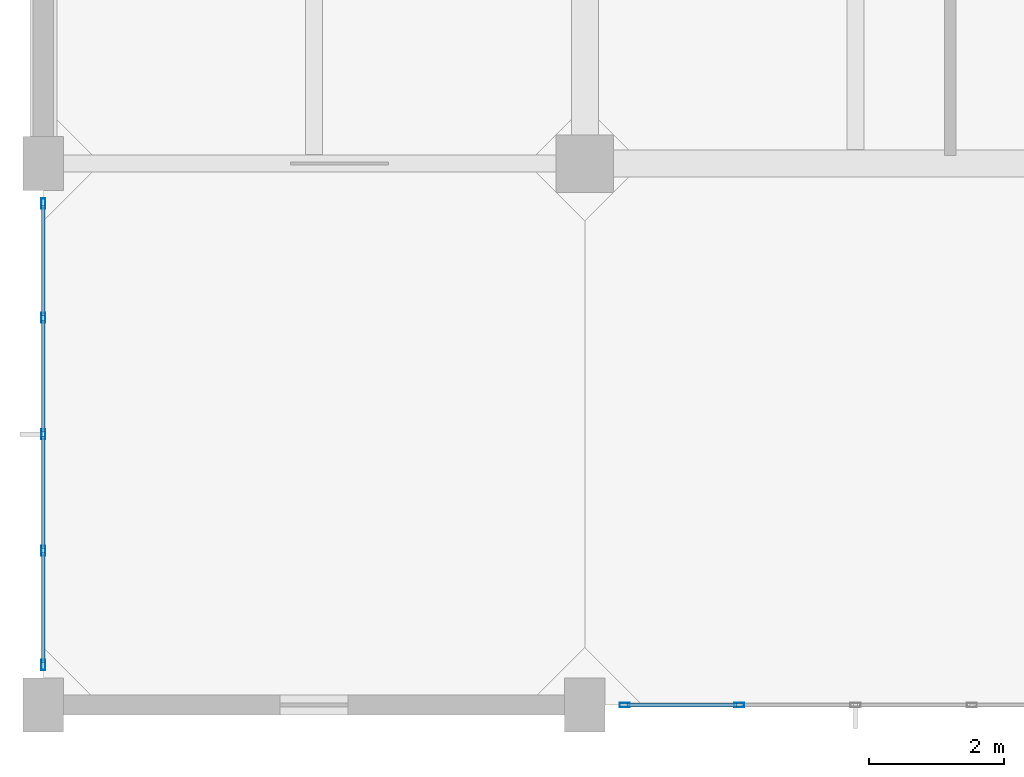
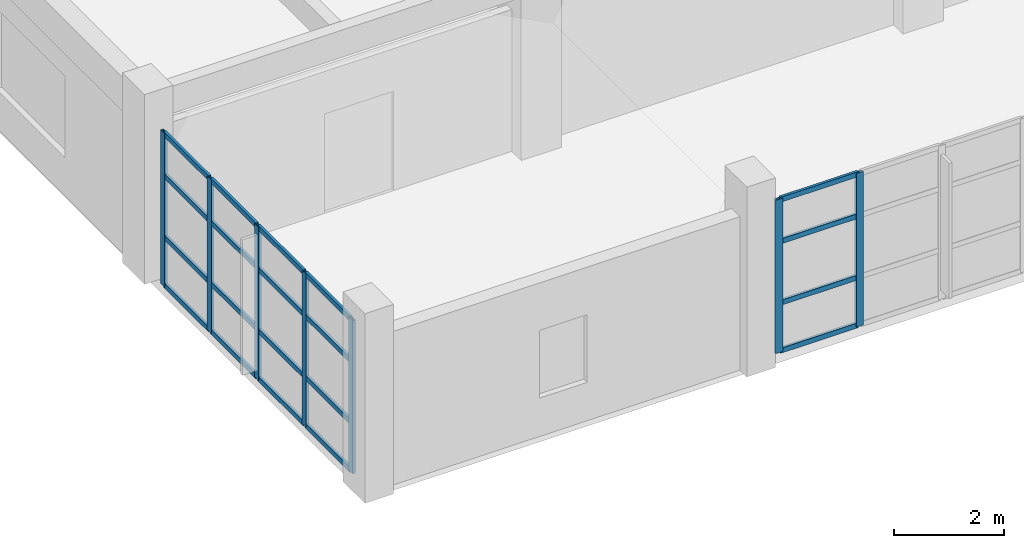
# One storey, part 2 of 27: 27 members, 2 elements without a shape of their own.
"""IFC4 building model written with IfcOpenShell, lengths in metres."""

from ifc_helpers import new_model, si_unit, direction, frame, origin, origin_2d, place, context, subcontext, project, spatial, hollow_rectangle, extrude, material, layer, layer_set, material_profile, profile_set, type_object, element, aggregate, save


model = new_model("IFC4")

# Units and contexts
model_context = context("Model", 3, precision=1e-05, world=origin(), true_north=direction((0.0, 1.0)))
body_context = subcontext(model_context, "Body", "Model", "MODEL_VIEW")
ifc_project = project(units=[si_unit("LENGTHUNIT", "METRE"), si_unit("AREAUNIT", "SQUARE_METRE"), si_unit("VOLUMEUNIT", "CUBIC_METRE"), si_unit("PLANEANGLEUNIT", "RADIAN"), si_unit("MASSUNIT", "GRAM", prefix="KILO")], contexts=[model_context])

# Site, building, storey
site_placement = place(None, origin())
site = spatial("IfcSite", under=ifc_project, at=site_placement, CompositionType="ELEMENT")
building_placement = place(site_placement, origin())
building = spatial("IfcBuilding", under=site, at=building_placement, Name="Canggui Botanical Conservatory", CompositionType="ELEMENT")
storey_placement = place(building_placement, frame((0.0, 0.0, 23.39990234375)))
storey = spatial("IfcBuildingStorey", under=building, at=storey_placement, Name="L06", CompositionType="ELEMENT", Elevation=23.39990234375)

# Curtain wall, members
ifc_material = material(Name="Thermally Broken Aluminium", Category="aluminium")
ifc_layer = layer(ifc_material, 0.14990234375, Name="Thermally Broken Aluminium", Category="aluminium")
ifc_layer_set = layer_set([ifc_layer], Name="Thermally Broken Aluminium")
curtain_wall_type = type_object("IfcCurtainWallType", Name="CW-UNIT-C", PredefinedType="USERDEFINED", material=ifc_layer_set)
curtain_wall_1_placement = place(storey_placement, origin())
curtain_wall_1 = element("IfcCurtainWall", 1, at=curtain_wall_1_placement, inside=storey, type_object=curtain_wall_type, Name="Facade Curtain Wall CW-TWR-L06-04", ObjectType="UNITISED CURTAIN WALL", PredefinedType="USERDEFINED")
ifc_material_profile_1 = material_profile(ifc_material, hollow_rectangle(XDim=0.06005859375, YDim=0.14990234375, WallThickness=0.00341796875, at=origin_2d()), Name="CWM 60x150x3.5")
ifc_profile_set_1 = profile_set([ifc_material_profile_1], Name="Thermally Broken Aluminium")
member_type_1 = type_object("IfcMemberType", Name="CWM-03", PredefinedType="MULLION", material=ifc_profile_set_1)
member_1_placement = place(storey_placement, frame((148.280029296875, 26.0, 0.0), z_axis=(0.0, 0.0, 1.0), x_axis=(0.0, -1.0, 0.0)))
member_1 = element("IfcMember", 2, at=member_1_placement, type_object=member_type_1, Name="CW-03 mullion 4", PredefinedType="MULLION", context=body_context, shape_type="SweptSolid", body=[
    extrude(hollow_rectangle(XDim=0.06005859375, YDim=0.14990234375, WallThickness=0.00341796875, at=origin_2d()), origin(), (0.0, 0.0, 1.0), 3.400146484375),
])
member_2_placement = place(storey_placement, frame((146.590087890625, 26.0, 0.0), z_axis=(0.0, 0.0, 1.0), x_axis=(0.0, -1.0, 0.0)))
member_2 = element("IfcMember", 3, at=member_2_placement, type_object=member_type_1, Name="CW-03 mullion 5", PredefinedType="MULLION", context=body_context, shape_type="SweptSolid", body=[
    extrude(hollow_rectangle(XDim=0.06005859375, YDim=0.14990234375, WallThickness=0.00341796875, at=origin_2d()), origin(), (0.0, 0.0, 1.0), 3.400146484375),
])

curtain_wall_2_placement = place(storey_placement, origin())
curtain_wall_2 = element("IfcCurtainWall", 4, at=curtain_wall_2_placement, inside=storey, type_object=curtain_wall_type, Name="Facade Curtain Wall CW-TWR-L06-06", ObjectType="UNITISED CURTAIN WALL", PredefinedType="USERDEFINED")
member_3_placement = place(storey_placement, frame((138.0, 26.590087890625, 0.0), z_axis=(0.0, 0.0, 1.0), x_axis=(-1.0, 0.0, 0.0)))
member_3 = element("IfcMember", 5, at=member_3_placement, type_object=member_type_1, Name="CW-03 mullion 1", PredefinedType="MULLION", context=body_context, shape_type="SweptSolid", body=[
    extrude(hollow_rectangle(XDim=0.06005859375, YDim=0.14990234375, WallThickness=0.00341796875, at=origin_2d()), origin(), (0.0, 0.0, 1.0), 3.400146484375),
])
member_4_placement = place(storey_placement, frame((138.0, 28.280029296875, 0.0), z_axis=(0.0, 0.0, 1.0), x_axis=(-1.0, 0.0, 0.0)))
member_4 = element("IfcMember", 6, at=member_4_placement, type_object=member_type_1, Name="CW-03 mullion 2", PredefinedType="MULLION", context=body_context, shape_type="SweptSolid", body=[
    extrude(hollow_rectangle(XDim=0.06005859375, YDim=0.14990234375, WallThickness=0.00341796875, at=origin_2d()), origin(), (0.0, 0.0, 1.0), 3.400146484375),
])
member_5_placement = place(storey_placement, frame((138.0, 30.0, 0.0), z_axis=(0.0, 0.0, 1.0), x_axis=(-1.0, 0.0, 0.0)))
member_5 = element("IfcMember", 7, at=member_5_placement, type_object=member_type_1, Name="CW-03 mullion 3", PredefinedType="MULLION", context=body_context, shape_type="SweptSolid", body=[
    extrude(hollow_rectangle(XDim=0.06005859375, YDim=0.14990234375, WallThickness=0.00341796875, at=origin_2d()), origin(), (0.0, 0.0, 1.0), 3.400146484375),
])
member_6_placement = place(storey_placement, frame((138.0, 31.719970703125, 0.0), z_axis=(0.0, 0.0, 1.0), x_axis=(-1.0, 0.0, 0.0)))
member_6 = element("IfcMember", 8, at=member_6_placement, type_object=member_type_1, Name="CW-03 mullion 4", PredefinedType="MULLION", context=body_context, shape_type="SweptSolid", body=[
    extrude(hollow_rectangle(XDim=0.06005859375, YDim=0.14990234375, WallThickness=0.00341796875, at=origin_2d()), origin(), (0.0, 0.0, 1.0), 3.400146484375),
])
member_7_placement = place(storey_placement, frame((138.0, 33.409912109375, 0.0), z_axis=(0.0, 0.0, 1.0), x_axis=(-1.0, 0.0, 0.0)))
member_7 = element("IfcMember", 9, at=member_7_placement, type_object=member_type_1, Name="CW-03 mullion 5", PredefinedType="MULLION", context=body_context, shape_type="SweptSolid", body=[
    extrude(hollow_rectangle(XDim=0.06005859375, YDim=0.14990234375, WallThickness=0.00341796875, at=origin_2d()), origin(), (0.0, 0.0, 1.0), 3.400146484375),
])

# Member
ifc_material_profile_2 = material_profile(ifc_material, hollow_rectangle(XDim=0.054931640625, YDim=0.110107421875, WallThickness=0.0029296875, at=origin_2d()), Name="CWT 55x110x3")
ifc_profile_set_2 = profile_set([ifc_material_profile_2], Name="Thermally Broken Aluminium")
member_type_2 = type_object("IfcMemberType", Name="CWT-03", PredefinedType="USERDEFINED", material=ifc_profile_set_2)
member_8_placement = place(storey_placement, frame((148.25, 26.0, 0.027587890625), z_axis=(-1.0, 0.0, 0.0), x_axis=(0.0, -1.0, 0.0)))
member_8 = element("IfcMember", 10, at=member_8_placement, type_object=member_type_2, Name="CW-03 transom 4.1", ObjectType="TRANSOM", PredefinedType="USERDEFINED", context=body_context, shape_type="SweptSolid", body=[
    extrude(hollow_rectangle(XDim=0.054931640625, YDim=0.110107421875, WallThickness=0.0029296875, at=origin_2d()), origin(), (0.0, 0.0, 1.0), 1.6298828125),
])

member_9_placement = place(storey_placement, frame((148.25, 26.0, 1.088134765625), z_axis=(-1.0, 0.0, 0.0), x_axis=(0.0, -1.0, 0.0)))
member_9 = element("IfcMember", 11, at=member_9_placement, type_object=member_type_2, Name="CW-03 transom 4.2", ObjectType="TRANSOM", PredefinedType="USERDEFINED", context=body_context, shape_type="SweptSolid", body=[
    extrude(hollow_rectangle(XDim=0.054931640625, YDim=0.110107421875, WallThickness=0.0029296875, at=origin_2d()), origin(), (0.0, 0.0, 1.0), 1.6298828125),
])

member_10_placement = place(storey_placement, frame((148.25, 26.0, 2.447998046875), z_axis=(-1.0, 0.0, 0.0), x_axis=(0.0, -1.0, 0.0)))
member_10 = element("IfcMember", 12, at=member_10_placement, type_object=member_type_2, Name="CW-03 transom 4.3", ObjectType="TRANSOM", PredefinedType="USERDEFINED", context=body_context, shape_type="SweptSolid", body=[
    extrude(hollow_rectangle(XDim=0.054931640625, YDim=0.110107421875, WallThickness=0.0029296875, at=origin_2d()), origin(), (0.0, 0.0, 1.0), 1.6298828125),
])

member_11_placement = place(storey_placement, frame((148.25, 26.0, 3.37255859375), z_axis=(-1.0, 0.0, 0.0), x_axis=(0.0, -1.0, 0.0)))
member_11 = element("IfcMember", 13, at=member_11_placement, type_object=member_type_2, Name="CW-03 transom 4.4", ObjectType="TRANSOM", PredefinedType="USERDEFINED", context=body_context, shape_type="SweptSolid", body=[
    extrude(hollow_rectangle(XDim=0.054931640625, YDim=0.110107421875, WallThickness=0.0029296875, at=origin_2d()), origin(), (0.0, 0.0, 1.0), 1.6298828125),
])

aggregate(curtain_wall_1, [member_1, member_2, member_8, member_9, member_10, member_11])

member_12_placement = place(storey_placement, frame((138.0, 26.6201171875, 0.027587890625), z_axis=(0.0, 1.0, 0.0), x_axis=(-1.0, 0.0, 0.0)))
member_12 = element("IfcMember", 14, at=member_12_placement, type_object=member_type_2, Name="CW-03 transom 1.1", ObjectType="TRANSOM", PredefinedType="USERDEFINED", context=body_context, shape_type="SweptSolid", body=[
    extrude(hollow_rectangle(XDim=0.054931640625, YDim=0.110107421875, WallThickness=0.0029296875, at=origin_2d()), origin(), (0.0, 0.0, 1.0), 1.6298828125),
])

member_13_placement = place(storey_placement, frame((138.0, 26.6201171875, 1.088134765625), z_axis=(0.0, 1.0, 0.0), x_axis=(-1.0, 0.0, 0.0)))
member_13 = element("IfcMember", 15, at=member_13_placement, type_object=member_type_2, Name="CW-03 transom 1.2", ObjectType="TRANSOM", PredefinedType="USERDEFINED", context=body_context, shape_type="SweptSolid", body=[
    extrude(hollow_rectangle(XDim=0.054931640625, YDim=0.110107421875, WallThickness=0.0029296875, at=origin_2d()), origin(), (0.0, 0.0, 1.0), 1.6298828125),
])

member_14_placement = place(storey_placement, frame((138.0, 26.6201171875, 2.447998046875), z_axis=(0.0, 1.0, 0.0), x_axis=(-1.0, 0.0, 0.0)))
member_14 = element("IfcMember", 16, at=member_14_placement, type_object=member_type_2, Name="CW-03 transom 1.3", ObjectType="TRANSOM", PredefinedType="USERDEFINED", context=body_context, shape_type="SweptSolid", body=[
    extrude(hollow_rectangle(XDim=0.054931640625, YDim=0.110107421875, WallThickness=0.0029296875, at=origin_2d()), origin(), (0.0, 0.0, 1.0), 1.6298828125),
])

member_15_placement = place(storey_placement, frame((138.0, 26.6201171875, 3.37255859375), z_axis=(0.0, 1.0, 0.0), x_axis=(-1.0, 0.0, 0.0)))
member_15 = element("IfcMember", 17, at=member_15_placement, type_object=member_type_2, Name="CW-03 transom 1.4", ObjectType="TRANSOM", PredefinedType="USERDEFINED", context=body_context, shape_type="SweptSolid", body=[
    extrude(hollow_rectangle(XDim=0.054931640625, YDim=0.110107421875, WallThickness=0.0029296875, at=origin_2d()), origin(), (0.0, 0.0, 1.0), 1.6298828125),
])

member_16_placement = place(storey_placement, frame((138.0, 28.31005859375, 0.027587890625), z_axis=(0.0, 1.0, 0.0), x_axis=(-1.0, 0.0, 0.0)))
member_16 = element("IfcMember", 18, at=member_16_placement, type_object=member_type_2, Name="CW-03 transom 2.1", ObjectType="TRANSOM", PredefinedType="USERDEFINED", context=body_context, shape_type="SweptSolid", body=[
    extrude(hollow_rectangle(XDim=0.054931640625, YDim=0.110107421875, WallThickness=0.0029296875, at=origin_2d()), origin(), (0.0, 0.0, 1.0), 1.659912109375),
])

member_17_placement = place(storey_placement, frame((138.0, 28.31005859375, 1.088134765625), z_axis=(0.0, 1.0, 0.0), x_axis=(-1.0, 0.0, 0.0)))
member_17 = element("IfcMember", 19, at=member_17_placement, type_object=member_type_2, Name="CW-03 transom 2.2", ObjectType="TRANSOM", PredefinedType="USERDEFINED", context=body_context, shape_type="SweptSolid", body=[
    extrude(hollow_rectangle(XDim=0.054931640625, YDim=0.110107421875, WallThickness=0.0029296875, at=origin_2d()), origin(), (0.0, 0.0, 1.0), 1.659912109375),
])

member_18_placement = place(storey_placement, frame((138.0, 28.31005859375, 2.447998046875), z_axis=(0.0, 1.0, 0.0), x_axis=(-1.0, 0.0, 0.0)))
member_18 = element("IfcMember", 20, at=member_18_placement, type_object=member_type_2, Name="CW-03 transom 2.3", ObjectType="TRANSOM", PredefinedType="USERDEFINED", context=body_context, shape_type="SweptSolid", body=[
    extrude(hollow_rectangle(XDim=0.054931640625, YDim=0.110107421875, WallThickness=0.0029296875, at=origin_2d()), origin(), (0.0, 0.0, 1.0), 1.659912109375),
])

member_19_placement = place(storey_placement, frame((138.0, 28.31005859375, 3.37255859375), z_axis=(0.0, 1.0, 0.0), x_axis=(-1.0, 0.0, 0.0)))
member_19 = element("IfcMember", 21, at=member_19_placement, type_object=member_type_2, Name="CW-03 transom 2.4", ObjectType="TRANSOM", PredefinedType="USERDEFINED", context=body_context, shape_type="SweptSolid", body=[
    extrude(hollow_rectangle(XDim=0.054931640625, YDim=0.110107421875, WallThickness=0.0029296875, at=origin_2d()), origin(), (0.0, 0.0, 1.0), 1.659912109375),
])

member_20_placement = place(storey_placement, frame((138.0, 30.030029296875, 0.027587890625), z_axis=(0.0, 1.0, 0.0), x_axis=(-1.0, 0.0, 0.0)))
member_20 = element("IfcMember", 22, at=member_20_placement, type_object=member_type_2, Name="CW-03 transom 3.1", ObjectType="TRANSOM", PredefinedType="USERDEFINED", context=body_context, shape_type="SweptSolid", body=[
    extrude(hollow_rectangle(XDim=0.054931640625, YDim=0.110107421875, WallThickness=0.0029296875, at=origin_2d()), origin(), (0.0, 0.0, 1.0), 1.659912109375),
])

member_21_placement = place(storey_placement, frame((138.0, 30.030029296875, 1.088134765625), z_axis=(0.0, 1.0, 0.0), x_axis=(-1.0, 0.0, 0.0)))
member_21 = element("IfcMember", 23, at=member_21_placement, type_object=member_type_2, Name="CW-03 transom 3.2", ObjectType="TRANSOM", PredefinedType="USERDEFINED", context=body_context, shape_type="SweptSolid", body=[
    extrude(hollow_rectangle(XDim=0.054931640625, YDim=0.110107421875, WallThickness=0.0029296875, at=origin_2d()), origin(), (0.0, 0.0, 1.0), 1.659912109375),
])

member_22_placement = place(storey_placement, frame((138.0, 30.030029296875, 2.447998046875), z_axis=(0.0, 1.0, 0.0), x_axis=(-1.0, 0.0, 0.0)))
member_22 = element("IfcMember", 24, at=member_22_placement, type_object=member_type_2, Name="CW-03 transom 3.3", ObjectType="TRANSOM", PredefinedType="USERDEFINED", context=body_context, shape_type="SweptSolid", body=[
    extrude(hollow_rectangle(XDim=0.054931640625, YDim=0.110107421875, WallThickness=0.0029296875, at=origin_2d()), origin(), (0.0, 0.0, 1.0), 1.659912109375),
])

member_23_placement = place(storey_placement, frame((138.0, 30.030029296875, 3.37255859375), z_axis=(0.0, 1.0, 0.0), x_axis=(-1.0, 0.0, 0.0)))
member_23 = element("IfcMember", 25, at=member_23_placement, type_object=member_type_2, Name="CW-03 transom 3.4", ObjectType="TRANSOM", PredefinedType="USERDEFINED", context=body_context, shape_type="SweptSolid", body=[
    extrude(hollow_rectangle(XDim=0.054931640625, YDim=0.110107421875, WallThickness=0.0029296875, at=origin_2d()), origin(), (0.0, 0.0, 1.0), 1.659912109375),
])

member_24_placement = place(storey_placement, frame((138.0, 31.75, 0.027587890625), z_axis=(0.0, 1.0, 0.0), x_axis=(-1.0, 0.0, 0.0)))
member_24 = element("IfcMember", 26, at=member_24_placement, type_object=member_type_2, Name="CW-03 transom 4.1", ObjectType="TRANSOM", PredefinedType="USERDEFINED", context=body_context, shape_type="SweptSolid", body=[
    extrude(hollow_rectangle(XDim=0.054931640625, YDim=0.110107421875, WallThickness=0.0029296875, at=origin_2d()), origin(), (0.0, 0.0, 1.0), 1.6298828125),
])

member_25_placement = place(storey_placement, frame((138.0, 31.75, 1.088134765625), z_axis=(0.0, 1.0, 0.0), x_axis=(-1.0, 0.0, 0.0)))
member_25 = element("IfcMember", 27, at=member_25_placement, type_object=member_type_2, Name="CW-03 transom 4.2", ObjectType="TRANSOM", PredefinedType="USERDEFINED", context=body_context, shape_type="SweptSolid", body=[
    extrude(hollow_rectangle(XDim=0.054931640625, YDim=0.110107421875, WallThickness=0.0029296875, at=origin_2d()), origin(), (0.0, 0.0, 1.0), 1.6298828125),
])

member_26_placement = place(storey_placement, frame((138.0, 31.75, 2.447998046875), z_axis=(0.0, 1.0, 0.0), x_axis=(-1.0, 0.0, 0.0)))
member_26 = element("IfcMember", 28, at=member_26_placement, type_object=member_type_2, Name="CW-03 transom 4.3", ObjectType="TRANSOM", PredefinedType="USERDEFINED", context=body_context, shape_type="SweptSolid", body=[
    extrude(hollow_rectangle(XDim=0.054931640625, YDim=0.110107421875, WallThickness=0.0029296875, at=origin_2d()), origin(), (0.0, 0.0, 1.0), 1.6298828125),
])

member_27_placement = place(storey_placement, frame((138.0, 31.75, 3.37255859375), z_axis=(0.0, 1.0, 0.0), x_axis=(-1.0, 0.0, 0.0)))
member_27 = element("IfcMember", 29, at=member_27_placement, type_object=member_type_2, Name="CW-03 transom 4.4", ObjectType="TRANSOM", PredefinedType="USERDEFINED", context=body_context, shape_type="SweptSolid", body=[
    extrude(hollow_rectangle(XDim=0.054931640625, YDim=0.110107421875, WallThickness=0.0029296875, at=origin_2d()), origin(), (0.0, 0.0, 1.0), 1.6298828125),
])

aggregate(curtain_wall_2, [member_3, member_4, member_5, member_6, member_7, member_12, member_13, member_14, member_15, member_16, member_17, member_18, member_19, member_20, member_21, member_22, member_23, member_24, member_25, member_26, member_27])

save(model, "model.ifc")
